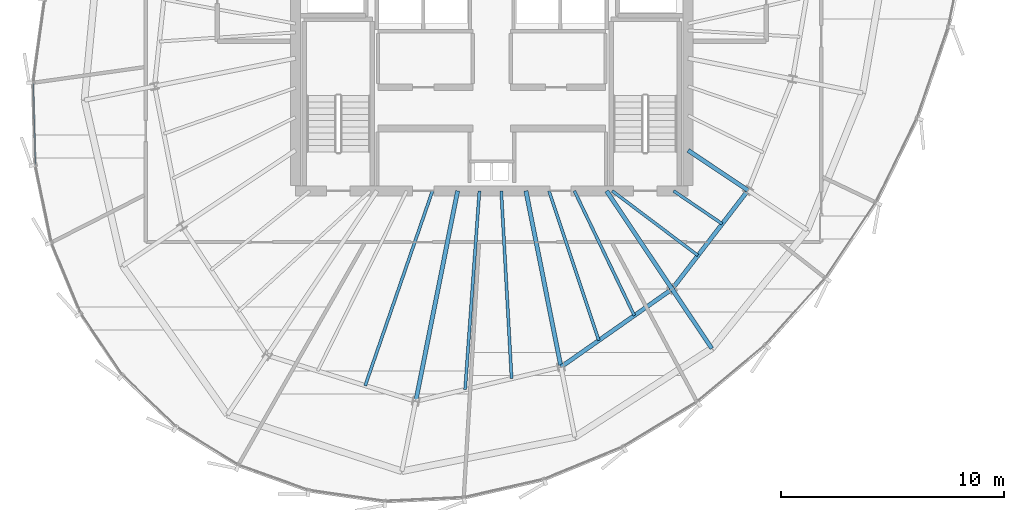
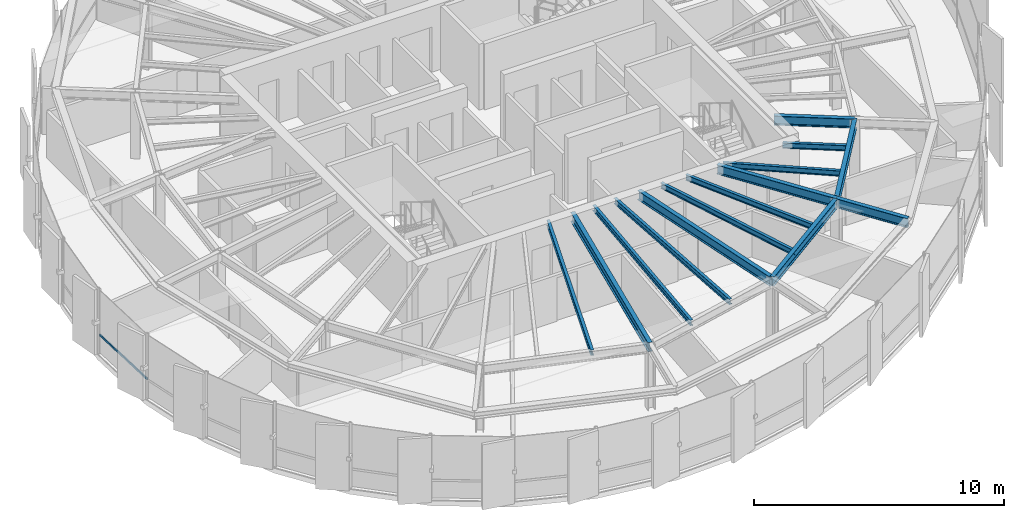
# One storey, part 8 of 35: 14 beams, 1 member, 1 element without a shape of its own.
"""IFC4 building model written with IfcOpenShell, lengths in metres."""

from ifc_helpers import new_model, si_unit, direction, frame, origin, origin_2d, place, context, subcontext, project, spatial, hollow_rectangle, i_section, extrude, source, transform, mapped, material, layer, layer_set, material_profile, profile_set, type_object, element, aggregate, save


model = new_model("IFC4")

# Units and contexts
model_context = context("Model", 3, precision=1e-05, world=origin(), true_north=direction((0.0, 1.0)))
body_context = subcontext(model_context, "Body", "Model", "MODEL_VIEW")
ifc_project = project(units=[si_unit("LENGTHUNIT", "METRE"), si_unit("AREAUNIT", "SQUARE_METRE"), si_unit("VOLUMEUNIT", "CUBIC_METRE"), si_unit("PLANEANGLEUNIT", "RADIAN"), si_unit("MASSUNIT", "GRAM", prefix="KILO"), si_unit("THERMODYNAMICTEMPERATUREUNIT", "KELVIN")], contexts=[model_context])

# Site, building, storey
site_placement = place(None, origin())
site = spatial("IfcSite", under=ifc_project, at=site_placement, CompositionType="ELEMENT")
building_placement = place(site_placement, origin())
building = spatial("IfcBuilding", under=site, at=building_placement, Name="Kethvar Cultural Tower", CompositionType="ELEMENT")
storey_placement = place(building_placement, frame((0.0, 0.0, 245.64990234375)))
storey = spatial("IfcBuildingStorey", under=building, at=storey_placement, Name="L64", CompositionType="ELEMENT", Elevation=245.64990234375)

# Beams
ifc_material_1 = material(Name="Steel S355J2", Category="steel")
ifc_material_profile_1 = material_profile(ifc_material_1, i_section(OverallWidth=0.18994140625, OverallDepth=0.449951171875, WebThickness=0.009521484375, FlangeThickness=0.0146484375, FilletRadius=0.02099609375, at=origin_2d()), Name="Steel S355J2 — IPE450")
ifc_profile_set_1 = profile_set([ifc_material_profile_1], Name="Steel S355J2 — IPE450")
beam_type_1 = type_object("IfcBeamType", Name="BM-IPE450", PredefinedType="BEAM", material=ifc_profile_set_1)
shared_shape_1 = source(origin(), body_context, "Body", "SweptSolid", [
    extrude(i_section(OverallWidth=0.18994140625, OverallDepth=0.449951171875, WebThickness=0.009521484375, FlangeThickness=0.0146484375, FilletRadius=0.02099609375, at=origin_2d()), origin(), (0.0, 0.0, 1.0), 3.199951171875),
])
beam_1_placement = place(storey_placement, frame((54.885009765625, 15.7001953125, 2.983154296875), z_axis=(0.555492222339, -0.83152173208, 0.0), x_axis=(0.83152173208, 0.555492222339, 0.0)))
element("IfcBeam", 1, at=beam_1_placement, inside=storey, type_object=beam_type_1, Name="L64 Perimeter Cantilever Beam RC-14", PredefinedType="BEAM", context=body_context, shape_type="MappedRepresentation", body=[
    mapped(shared_shape_1, transform((0.0, 0.0, 0.0), scale=1.0)),
])
shared_shape_2 = source(origin(), body_context, "Body", "SweptSolid", [
    extrude(i_section(OverallWidth=0.18994140625, OverallDepth=0.449951171875, WebThickness=0.009521484375, FlangeThickness=0.0146484375, FilletRadius=0.02099609375, at=origin_2d()), origin(), (0.0, 0.0, 1.0), 9.613525390625),
])
beam_2_placement = place(storey_placement, frame((45.268310546875, 20.10009765625, 2.983154296875), z_axis=(-0.195090428816, -0.980785259159, 0.0), x_axis=(0.980785259159, -0.195090428816, 0.0)))
element("IfcBeam", 2, at=beam_2_placement, inside=storey, type_object=beam_type_1, Name="L64 Primary Radial Beam RB-12", PredefinedType="BEAM", context=body_context, shape_type="MappedRepresentation", body=[
    mapped(shared_shape_2, transform((0.0, 0.0, 0.0), scale=1.0)),
])
shared_shape_3 = source(origin(), body_context, "Body", "SweptSolid", [
    extrude(i_section(OverallWidth=0.18994140625, OverallDepth=0.449951171875, WebThickness=0.009521484375, FlangeThickness=0.0146484375, FilletRadius=0.02099609375, at=origin_2d()), origin(), (0.0, 0.0, 1.0), 8.0478515625),
])
beam_3_placement = place(storey_placement, frame((48.33154296875, 20.10009765625, 2.983154296875), z_axis=(0.195089278796, -0.980785487912, 0.0), x_axis=(0.980785487912, 0.195089278796, 0.0)))
element("IfcBeam", 3, at=beam_3_placement, inside=storey, type_object=beam_type_1, Name="L64 Primary Radial Beam RB-13", PredefinedType="BEAM", context=body_context, shape_type="MappedRepresentation", body=[
    mapped(shared_shape_3, transform((0.0, 0.0, 0.0), scale=1.0)),
])
shared_shape_4 = source(origin(), body_context, "Body", "SweptSolid", [
    extrude(i_section(OverallWidth=0.18994140625, OverallDepth=0.449951171875, WebThickness=0.009521484375, FlangeThickness=0.0146484375, FilletRadius=0.02099609375, at=origin_2d()), origin(), (0.0, 0.0, 1.0), 5.291748046875),
])
beam_4_placement = place(storey_placement, frame((51.945068359375, 20.10009765625, 2.983154296875), z_axis=(0.555572931011, -0.831467809556, 0.0), x_axis=(0.831467809556, 0.555572931011, 0.0)))
element("IfcBeam", 4, at=beam_4_placement, inside=storey, type_object=beam_type_1, Name="L64 Primary Radial Beam RB-14", PredefinedType="BEAM", context=body_context, shape_type="MappedRepresentation", body=[
    mapped(shared_shape_4, transform((0.0, 0.0, 0.0), scale=1.0)),
])
shared_shape_5 = source(origin(), body_context, "Body", "SweptSolid", [
    extrude(i_section(OverallWidth=0.18994140625, OverallDepth=0.449951171875, WebThickness=0.009521484375, FlangeThickness=0.0146484375, FilletRadius=0.02099609375, at=origin_2d()), origin(), (0.0, 0.0, 1.0), 3.231689453125),
])
beam_5_placement = place(storey_placement, frame((55.60009765625, 21.919921875, 2.983154296875), z_axis=(0.831468708055, -0.55557158632, 0.0), x_axis=(0.55557158632, 0.831468708055, 0.0)))
element("IfcBeam", 5, at=beam_5_placement, inside=storey, type_object=beam_type_1, Name="L64 Primary Radial Beam RB-15", PredefinedType="BEAM", context=body_context, shape_type="MappedRepresentation", body=[
    mapped(shared_shape_5, transform((0.0, 0.0, 0.0), scale=1.0)),
])
ifc_material_profile_2 = material_profile(ifc_material_1, i_section(OverallWidth=0.135009765625, OverallDepth=0.27001953125, WebThickness=0.006591796875, FlangeThickness=0.01025390625, FilletRadius=0.014892578125, at=origin_2d()), Name="Steel S355J2 — IPE270")
ifc_profile_set_2 = profile_set([ifc_material_profile_2], Name="Steel S355J2 — IPE270")
beam_type_2 = type_object("IfcBeamType", Name="BM-J270", PredefinedType="JOIST", material=ifc_profile_set_2)
shared_shape_6 = source(origin(), body_context, "Body", "SweptSolid", [
    extrude(i_section(OverallWidth=0.135009765625, OverallDepth=0.27001953125, WebThickness=0.006591796875, FlangeThickness=0.01025390625, FilletRadius=0.014892578125, at=origin_2d()), origin(), (0.0, 0.0, 1.0), 9.234130859375),
])
beam_6_placement = place(storey_placement, frame((44.1416015625, 20.10009765625, 3.072998046875), z_axis=(-0.326362208058, -0.945244787953, 0.0), x_axis=(0.945244787953, -0.326362208058, 0.0)))
element("IfcBeam", 6, at=beam_6_placement, inside=storey, type_object=beam_type_2, Name="L64 Composite Floor Joist J-11B", PredefinedType="JOIST", context=body_context, shape_type="MappedRepresentation", body=[
    mapped(shared_shape_6, transform((0.0, 0.0, 0.0), scale=1.0)),
])
shared_shape_7 = source(origin(), body_context, "Body", "SweptSolid", [
    extrude(i_section(OverallWidth=0.135009765625, OverallDepth=0.27001953125, WebThickness=0.006591796875, FlangeThickness=0.01025390625, FilletRadius=0.014892578125, at=origin_2d()), origin(), (0.0, 0.0, 1.0), 8.9296875),
])
beam_7_placement = place(storey_placement, frame((46.246337890625, 20.10009765625, 3.072998046875), z_axis=(-0.071713352262, -0.99742528297, 0.0), x_axis=(0.99742528297, -0.071713352262, 0.0)))
element("IfcBeam", 7, at=beam_7_placement, inside=storey, type_object=beam_type_2, Name="L64 Composite Floor Joist J-12A", PredefinedType="JOIST", context=body_context, shape_type="MappedRepresentation", body=[
    mapped(shared_shape_7, transform((0.0, 0.0, 0.0), scale=1.0)),
])
shared_shape_8 = source(origin(), body_context, "Body", "SweptSolid", [
    extrude(i_section(OverallWidth=0.135009765625, OverallDepth=0.27001953125, WebThickness=0.006591796875, FlangeThickness=0.01025390625, FilletRadius=0.014892578125, at=origin_2d()), origin(), (0.0, 0.0, 1.0), 8.427978515625),
])
beam_8_placement = place(storey_placement, frame((47.224609375, 20.10009765625, 3.072998046875), z_axis=(0.055067321535, -0.998482643865, 0.0), x_axis=(0.998482643865, 0.055067321535, 0.0)))
element("IfcBeam", 8, at=beam_8_placement, inside=storey, type_object=beam_type_2, Name="L64 Composite Floor Joist J-12B", PredefinedType="JOIST", context=body_context, shape_type="MappedRepresentation", body=[
    mapped(shared_shape_8, transform((0.0, 0.0, 0.0), scale=1.0)),
])
shared_shape_9 = source(origin(), body_context, "Body", "SweptSolid", [
    extrude(i_section(OverallWidth=0.18994140625, OverallDepth=0.449951171875, WebThickness=0.009521484375, FlangeThickness=0.0146484375, FilletRadius=0.02099609375, at=origin_2d()), origin(), (0.0, 0.0, 1.0), 6.0859375),
])
beam_9_placement = place(storey_placement, frame((49.901611328125, 12.206787109375, 2.983154296875), z_axis=(0.818843498091, 0.57401683393, 0.0), x_axis=(-0.57401683393, 0.818843498091, 0.0)))
element("IfcBeam", 9, at=beam_9_placement, inside=storey, type_object=beam_type_1, Name="L64 Column Ring Tie Beam CR-13", PredefinedType="BEAM", context=body_context, shape_type="MappedRepresentation", body=[
    mapped(shared_shape_9, transform((0.0, 0.0, 0.0), scale=1.0)),
])
shared_shape_10 = source(origin(), body_context, "Body", "SweptSolid", [
    extrude(i_section(OverallWidth=0.135009765625, OverallDepth=0.27001953125, WebThickness=0.006591796875, FlangeThickness=0.01025390625, FilletRadius=0.014892578125, at=origin_2d()), origin(), (0.0, 0.0, 1.0), 7.0673828125),
])
beam_10_placement = place(storey_placement, frame((49.363525390625, 20.10009765625, 3.072998046875), z_axis=(0.315875389768, -0.948800684095, 0.0), x_axis=(0.948800684095, 0.315875389768, 0.0)))
element("IfcBeam", 10, at=beam_10_placement, inside=storey, type_object=beam_type_2, Name="L64 Composite Floor Joist J-13A", PredefinedType="JOIST", context=body_context, shape_type="MappedRepresentation", body=[
    mapped(shared_shape_10, transform((0.0, 0.0, 0.0), scale=1.0)),
])
shared_shape_11 = source(origin(), body_context, "Body", "SweptSolid", [
    extrude(i_section(OverallWidth=0.135009765625, OverallDepth=0.27001953125, WebThickness=0.006591796875, FlangeThickness=0.01025390625, FilletRadius=0.014892578125, at=origin_2d()), origin(), (0.0, 0.0, 1.0), 6.2001953125),
])
beam_11_placement = place(storey_placement, frame((50.50341796875, 20.10009765625, 3.072998046875), z_axis=(0.433410678328, -0.901196529017, 0.0), x_axis=(0.901196529017, 0.433410678328, 0.0)))
element("IfcBeam", 11, at=beam_11_placement, inside=storey, type_object=beam_type_2, Name="L64 Composite Floor Joist J-13B", PredefinedType="JOIST", context=body_context, shape_type="MappedRepresentation", body=[
    mapped(shared_shape_11, transform((0.0, 0.0, 0.0), scale=1.0)),
])
shared_shape_12 = source(origin(), body_context, "Body", "SweptSolid", [
    extrude(i_section(OverallWidth=0.18994140625, OverallDepth=0.449951171875, WebThickness=0.009521484375, FlangeThickness=0.0146484375, FilletRadius=0.02099609375, at=origin_2d()), origin(), (0.0, 0.0, 1.0), 5.5810546875),
])
beam_12_placement = place(storey_placement, frame((54.885009765625, 15.7001953125, 2.983154296875), z_axis=(0.60957334008, 0.79272967843, 0.0), x_axis=(-0.79272967843, 0.60957334008, 0.0)))
element("IfcBeam", 12, at=beam_12_placement, inside=storey, type_object=beam_type_1, Name="L64 Column Ring Tie Beam CR-14", PredefinedType="BEAM", context=body_context, shape_type="MappedRepresentation", body=[
    mapped(shared_shape_12, transform((0.0, 0.0, 0.0), scale=1.0)),
])
shared_shape_13 = source(origin(), body_context, "Body", "SweptSolid", [
    extrude(i_section(OverallWidth=0.135009765625, OverallDepth=0.27001953125, WebThickness=0.006591796875, FlangeThickness=0.01025390625, FilletRadius=0.014892578125, at=origin_2d()), origin(), (0.0, 0.0, 1.0), 4.810791015625),
])
beam_13_placement = place(storey_placement, frame((52.199951171875, 20.10009765625, 3.072998046875), z_axis=(0.798542152732, -0.601938892505, 0.0), x_axis=(0.601938892505, 0.798542152732, 0.0)))
element("IfcBeam", 13, at=beam_13_placement, inside=storey, type_object=beam_type_2, Name="L64 Composite Floor Joist J-14A", PredefinedType="JOIST", context=body_context, shape_type="MappedRepresentation", body=[
    mapped(shared_shape_13, transform((0.0, 0.0, 0.0), scale=1.0)),
])
shared_shape_14 = source(origin(), body_context, "Body", "SweptSolid", [
    extrude(i_section(OverallWidth=0.135009765625, OverallDepth=0.27001953125, WebThickness=0.006591796875, FlangeThickness=0.01025390625, FilletRadius=0.014892578125, at=origin_2d()), origin(), (0.0, 0.0, 1.0), 2.635009765625),
])
beam_14_placement = place(storey_placement, frame((54.949951171875, 20.10009765625, 3.072998046875), z_axis=(0.827446562598, -0.561544464887, 0.0), x_axis=(0.561544464887, 0.827446562598, 0.0)))
element("IfcBeam", 14, at=beam_14_placement, inside=storey, type_object=beam_type_2, Name="L64 Composite Floor Joist J-14B", PredefinedType="JOIST", context=body_context, shape_type="MappedRepresentation", body=[
    mapped(shared_shape_14, transform((0.0, 0.0, 0.0), scale=1.0)),
])

# Curtain wall, member
ifc_material_2 = material(Name="Aluminium 6063-T6", Category="aluminium")
ifc_layer = layer(ifc_material_2, 0.179931640625, Name="Aluminium 6063-T6", Category="aluminium")
ifc_layer_set = layer_set([ifc_layer], Name="Aluminium 6063-T6 (180 mm)")
curtain_wall_type = type_object("IfcCurtainWallType", Name="CW-SYS-05-Z56", PredefinedType="NOTDEFINED", material=ifc_layer_set)
curtain_wall_placement = place(storey_placement, origin())
curtain_wall = element("IfcCurtainWall", 15, at=curtain_wall_placement, inside=storey, type_object=curtain_wall_type, Name="L64 Curtain Wall Run 03", PredefinedType="NOTDEFINED")
ifc_material_profile_3 = material_profile(ifc_material_2, hollow_rectangle(XDim=0.050048828125, YDim=0.10009765625, WallThickness=0.00390625, at=origin_2d()), Name="Aluminium 6063-T6 — RHS100x50x4")
ifc_profile_set_3 = profile_set([ifc_material_profile_3], Name="Aluminium 6063-T6 — RHS100x50x4")
member_type = type_object("IfcMemberType", Name="CW-SYS-05-Z56-TRN", PredefinedType="USERDEFINED", material=ifc_profile_set_3)
shared_shape_15 = source(origin(), body_context, "Body", "SweptSolid", [
    extrude(hollow_rectangle(XDim=0.050048828125, YDim=0.10009765625, WallThickness=0.00390625, at=origin_2d()), origin(), (0.0, 0.0, 1.0), 3.6181640625),
])
member_placement = place(storey_placement, frame((26.24951171875, 24.909423828125, 0.9501953125), z_axis=(0.026922401151, -0.999637526465, 0.0), x_axis=(0.999637526465, 0.026922401151, 0.0)))
member = element("IfcMember", 16, at=member_placement, type_object=member_type, Name="CW-L64-R03 Transom 2", ObjectType="TRANSOM", PredefinedType="USERDEFINED", context=body_context, shape_type="MappedRepresentation", body=[
    mapped(shared_shape_15, transform((0.0, 0.0, 0.0), scale=1.0)),
])
aggregate(curtain_wall, [member])

save(model, "model.ifc")
